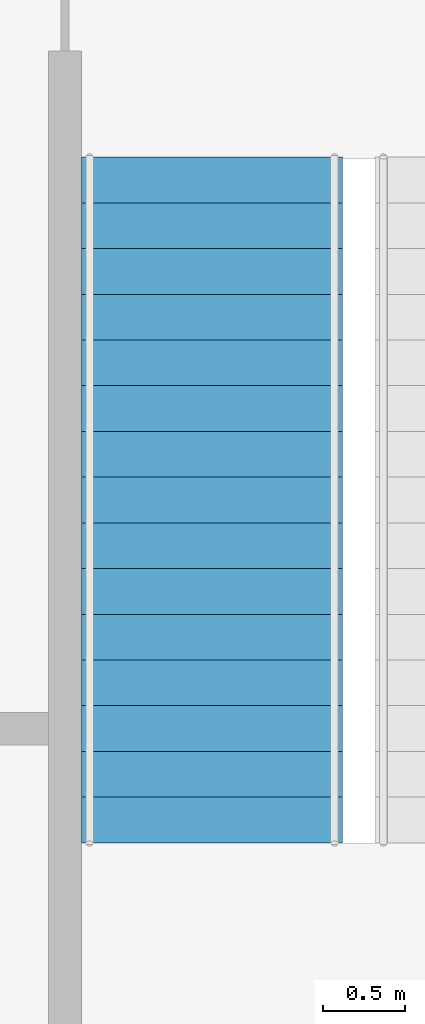
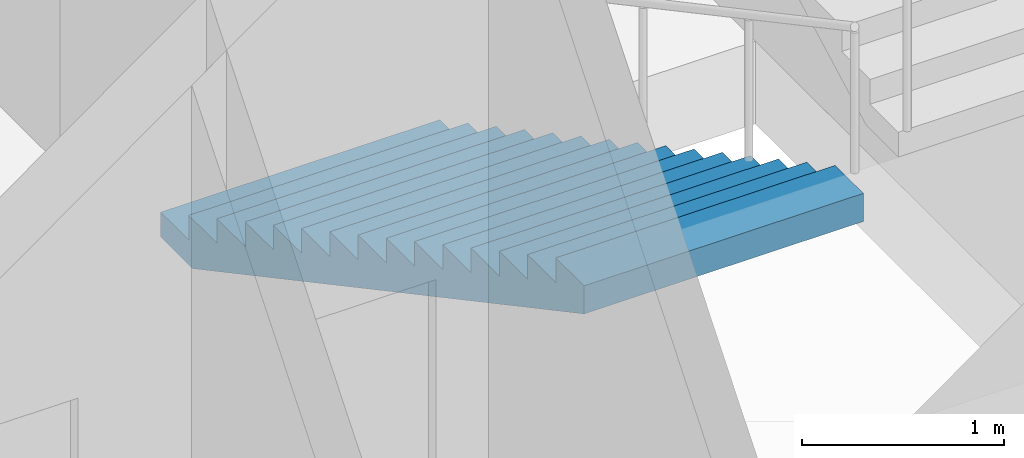
# One storey, part 47 of 53: 1 stair flight, 1 element without a shape of its own.
"""IFC4 building model written with IfcOpenShell, lengths in metres."""

import ifcopenshell
import ifcopenshell.guid

model = None  # the IFC model being written
_history = None  # IfcOwnerHistory: only IFC2X3 demands one
_inside = {}  # id of a spatial element -> (the spatial element, [elements in it])
_under = {}  # id of a project, library or spatial element -> (it, [spatial elements below it])
_declared = {}  # id of a project -> (the project, [libraries it declares])
_typed = {}  # id of a type object -> (the type object, [elements of that type])
_made_of = {}  # id of a material, layer set ... -> (it, [elements and type objects made of it])


def new_model(schema):
    """Start an empty IFC model of exactly this schema.

    Asked for "IFC4X3", IfcOpenShell would pick the latest addendum, in which some entities
    have other attributes; the version numbers below select the first issue.
    IFC2X3 requires an IfcOwnerHistory on every rooted entity: one is made here for all.
    """
    global model, _history
    if schema == "IFC4X3":
        model = ifcopenshell.file(schema_version=(4, 3, 0, 0))
    else:
        model = ifcopenshell.file(schema=schema)
    _inside.clear()
    _under.clear()
    _declared.clear()
    _typed.clear()
    _made_of.clear()
    _history = None
    if model.schema == "IFC2X3":
        org = make("IfcOrganization", Name="unknown")
        user = make(
            "IfcPersonAndOrganization",
            ThePerson=make("IfcPerson", FamilyName="unknown"),
            TheOrganization=org,
        )
        app = make(
            "IfcApplication",
            ApplicationDeveloper=org,
            Version="unknown",
            ApplicationFullName="unknown",
            ApplicationIdentifier="unknown",
        )
        _history = make(
            "IfcOwnerHistory",
            OwningUser=user,
            OwningApplication=app,
            ChangeAction="ADDED",
            CreationDate=0,
        )
    return model


def make(cls, **values):
    """One entity of the class cls with the attributes given. An attribute that is None is left unset."""
    return model.create_entity(
        cls, **{name: value for name, value in values.items() if value is not None}
    )


def rooted(cls, **values):
    """An entity with a GlobalId (a new one), such as an element, a storey or a relation."""
    return make(cls, GlobalId=ifcopenshell.guid.new(), OwnerHistory=_history, **values)


def si_unit(unit_type, name, prefix=None):
    """IfcSIUnit, for example si_unit("LENGTHUNIT", "METRE", prefix="MILLI")."""
    return make("IfcSIUnit", UnitType=unit_type, Prefix=prefix, Name=name)


def assignment(units):
    """IfcUnitAssignment: the units of a project."""
    return None if units is None else make("IfcUnitAssignment", Units=units)


def point(xyz):
    """IfcCartesianPoint."""
    return None if xyz is None else make("IfcCartesianPoint", Coordinates=xyz)


def direction(xyz):
    """IfcDirection."""
    return None if xyz is None else make("IfcDirection", DirectionRatios=xyz)


def frame(location, z_axis=None, x_axis=None):
    """IfcAxis2Placement3D, a coordinate frame: its origin and axes. An axis left out is left unset."""
    return make(
        "IfcAxis2Placement3D",
        Location=point(location),
        Axis=direction(z_axis),
        RefDirection=direction(x_axis),
    )


def origin():
    """The frame at (0, 0, 0) with its axes left unset."""
    return frame((0.0, 0.0, 0.0))


def place(relative_to, where):
    """IfcLocalPlacement: puts the frame where relative to a parent placement (None: the world)."""
    return make(
        "IfcLocalPlacement", PlacementRelTo=relative_to, RelativePlacement=where
    )


def context(
    kind, dimensions, precision=None, world=None, true_north=None, identifier=None
):
    """IfcGeometricRepresentationContext, for example the 3D "Model" context."""
    return make(
        "IfcGeometricRepresentationContext",
        ContextIdentifier=identifier,
        ContextType=kind,
        CoordinateSpaceDimension=dimensions,
        Precision=precision,
        WorldCoordinateSystem=world,
        TrueNorth=true_north,
    )


def subcontext(parent, identifier, kind, view, scale=None):
    """IfcGeometricRepresentationSubContext, for example "Body" below "Model"."""
    return make(
        "IfcGeometricRepresentationSubContext",
        ContextIdentifier=identifier,
        ContextType=kind,
        ParentContext=parent,
        TargetScale=scale,
        TargetView=view,
    )


def project(units=None, contexts=None):
    """IfcProject with its units and contexts."""
    return rooted(
        "IfcProject",
        Name="project",
        RepresentationContexts=contexts,
        UnitsInContext=assignment(units),
    )


def spatial(cls, under=None, at=None, **own):
    """A site, building, storey or space (cls), placed at a placement, below another one or the project."""
    s = rooted(cls, ObjectPlacement=at, **own)
    if under is not None:
        _under.setdefault(under.id(), (under, []))[1].append(s)
    return s


def point_list(points):
    """IfcCartesianPointList2D or 3D."""
    cls = (
        "IfcCartesianPointList2D" if len(points[0]) == 2 else "IfcCartesianPointList3D"
    )
    return make(cls, CoordList=points)


def triangles(points, corners, closed=None, point_numbers=None):
    """IfcTriangulatedFaceSet: each triangle names its three corners, points numbered from 1."""
    return make(
        "IfcTriangulatedFaceSet",
        Coordinates=point_list(points),
        Closed=closed,
        CoordIndex=corners,
        PnIndex=point_numbers,
    )


def shape(context_of_items, identifier, shape_type, items):
    """IfcShapeRepresentation: the items that make up one representation, for example the "Body"."""
    return make(
        "IfcShapeRepresentation",
        ContextOfItems=context_of_items,
        RepresentationIdentifier=identifier,
        RepresentationType=shape_type,
        Items=items,
    )


def material(Name=None, Category=None):
    """IfcMaterial."""
    return make("IfcMaterial", Name=Name, Category=Category)


def made_of(thing, what):
    """Note that an element or type object is made of a material, layer set ...; save() writes the relation."""
    if what is not None:
        _made_of.setdefault(what.id(), (what, []))[1].append(thing)
    return thing


def type_object(cls, material=None, **own):
    """A type object (cls), such as IfcWallType, which elements share."""
    return made_of(rooted(cls, **own), material)


def element(
    cls,
    number,
    at=None,
    inside=None,
    cuts=None,
    type_object=None,
    material=None,
    context=None,
    identifier="Body",
    shape_type=None,
    held_by="IfcProductDefinitionShape",
    body=None,
    shapes=None,
    **own,
):
    """One element of the class cls, such as IfcWall. Its Tag is "e" and its number.

    at: its placement. inside: the storey or other place that contains it. cuts: it is an
    opening in that element (IfcRelVoidsElement). A single representation is given by context,
    identifier, shape_type and body (its items); several are given by shapes. held_by: the class
    of the entity that holds the representations. save() writes the other relations.
    """
    e = rooted(cls, Tag="e%d" % number, ObjectPlacement=at, **own)
    if body is not None:
        shapes = [shape(context, identifier, shape_type, body)]
    if shapes is not None:
        e.Representation = make(held_by, Representations=shapes)
    if inside is not None:
        _inside.setdefault(inside.id(), (inside, []))[1].append(e)
    if cuts is not None:
        rooted(
            "IfcRelVoidsElement", RelatingBuildingElement=cuts, RelatedOpeningElement=e
        )
    if type_object is not None:
        _typed.setdefault(type_object.id(), (type_object, []))[1].append(e)
    return made_of(e, material)


def aggregate(whole, parts):
    """IfcRelAggregates: a whole, such as a stair, and the parts it consists of."""
    return rooted("IfcRelAggregates", RelatingObject=whole, RelatedObjects=parts)


def save(model, path):
    """Write the relations noted so far, then the file.

    IfcRelAggregates (storeys below a building ...), IfcRelContainedInSpatialStructure (elements
    in a storey), IfcRelDefinesByType, IfcRelAssociatesMaterial and IfcRelDeclares: one each for
    every whole, place, type object, material and project.
    """
    for whole, parts in _under.values():
        aggregate(whole, parts)
    for where, things in _inside.values():
        rooted(
            "IfcRelContainedInSpatialStructure",
            RelatedElements=things,
            RelatingStructure=where,
        )
    for kind, things in _typed.values():
        rooted("IfcRelDefinesByType", RelatedObjects=things, RelatingType=kind)
    for what, things in _made_of.values():
        rooted("IfcRelAssociatesMaterial", RelatedObjects=things, RelatingMaterial=what)
    for by, libraries in _declared.values():
        rooted("IfcRelDeclares", RelatingContext=by, RelatedDefinitions=libraries)
    model.write(path)


model = new_model("IFC4")

# Units and contexts
model_context = context("Model", 3, precision=1e-05, world=origin(), true_north=direction((0.0, 1.0)))
body_context = subcontext(model_context, "Body", "Model", "MODEL_VIEW")
ifc_project = project(units=[si_unit("LENGTHUNIT", "METRE"), si_unit("AREAUNIT", "SQUARE_METRE"), si_unit("VOLUMEUNIT", "CUBIC_METRE"), si_unit("PLANEANGLEUNIT", "RADIAN"), si_unit("MASSUNIT", "GRAM", prefix="KILO")], contexts=[model_context])

# Site, building, storey
site_placement = place(None, origin())
site = spatial("IfcSite", under=ifc_project, at=site_placement, CompositionType="ELEMENT")
building_placement = place(site_placement, origin())
building = spatial("IfcBuilding", under=site, at=building_placement, Name="Hakoniwa Tower and Hamabe Station Hall", CompositionType="ELEMENT")
storey_placement = place(building_placement, frame((0.0, 0.0, 15.0)))
storey = spatial("IfcBuildingStorey", under=building, at=storey_placement, Name="L03", CompositionType="ELEMENT", Elevation=15.0)

# Stair, stair flight
ifc_material_1 = material(Name="Concrete C40", Category="concrete")
stair_type = type_object("IfcStairType", Name="STAIR 1600 16X150", PredefinedType="HALF_TURN_STAIR", material=ifc_material_1)
stair_placement = place(storey_placement, origin())
stair = element("IfcStair", 1, at=stair_placement, inside=storey, type_object=stair_type, Name="Escape stair SS4 L03", PredefinedType="HALF_TURN_STAIR")
ifc_material_2 = material(Name="Concrete C40", Category="concrete")
stair_flight_type = type_object("IfcStairFlightType", Name="STAIR FLIGHT 1600", PredefinedType="STRAIGHT", material=ifc_material_2)
stair_flight_placement = place(storey_placement, frame((165.85009765625, -16.89990234375, 0.0), z_axis=(0.0, 0.0, 1.0), x_axis=(0.0, -1.0, 0.0)))
stair_flight = element("IfcStairFlight", 2, at=stair_flight_placement, type_object=stair_flight_type, Name="SS4 flight 1", NumberOfRisers=16, NumberOfTreads=15, PredefinedType="STRAIGHT", RiserHeight=0.15, TreadLength=0.28, context=body_context, shape_type="Tessellation", body=[
    triangles([(0.0, 0.800048828125, 0.0), (0.280029296875, 0.800048828125, 0.0), (0.3173828125, 0.800048828125, 0.0), (0.56005859375, 0.800048828125, 0.1298828125), (0.840087890625, 0.800048828125, 0.280029296875), (1.1201171875, 0.800048828125, 0.429931640625), (1.39990234375, 0.800048828125, 0.579833984375), (1.679931640625, 0.800048828125, 0.72998046875), (1.9599609375, 0.800048828125, 0.8798828125), (2.239990234375, 0.800048828125, 1.030029296875), (2.52001953125, 0.800048828125, 1.179931640625), (2.800048828125, 0.800048828125, 1.329833984375), (3.080078125, 0.800048828125, 1.47998046875), (3.360107421875, 0.800048828125, 1.6298828125), (3.639892578125, 0.800048828125, 1.780029296875), (3.919921875, 0.800048828125, 1.929931640625), (4.199951171875, 0.800048828125, 2.079833984375), (4.199951171875, 0.800048828125, 2.25), (3.919921875, 0.800048828125, 2.25), (3.919921875, 0.800048828125, 2.10009765625), (3.639892578125, 0.800048828125, 2.10009765625), (3.639892578125, 0.800048828125, 1.949951171875), (3.360107421875, 0.800048828125, 1.949951171875), (3.360107421875, 0.800048828125, 1.800048828125), (3.080078125, 0.800048828125, 1.800048828125), (3.080078125, 0.800048828125, 1.64990234375), (2.800048828125, 0.800048828125, 1.64990234375), (2.800048828125, 0.800048828125, 1.5), (2.52001953125, 0.800048828125, 1.5), (2.52001953125, 0.800048828125, 1.35009765625), (2.239990234375, 0.800048828125, 1.35009765625), (2.239990234375, 0.800048828125, 1.199951171875), (1.9599609375, 0.800048828125, 1.199951171875), (1.9599609375, 0.800048828125, 1.050048828125), (1.679931640625, 0.800048828125, 1.050048828125), (1.679931640625, 0.800048828125, 0.89990234375), (1.39990234375, 0.800048828125, 0.89990234375), (1.39990234375, 0.800048828125, 0.75), (1.1201171875, 0.800048828125, 0.75), (1.1201171875, 0.800048828125, 0.60009765625), (0.840087890625, 0.800048828125, 0.60009765625), (0.840087890625, 0.800048828125, 0.449951171875), (0.56005859375, 0.800048828125, 0.449951171875), (0.56005859375, 0.800048828125, 0.300048828125), (0.3173828125, 0.800048828125, 0.300048828125), (0.280029296875, 0.800048828125, 0.300048828125), (0.280029296875, 0.800048828125, 0.14990234375), (0.0, 0.800048828125, 0.14990234375), (0.0, 0.06005859375, 0.0), (0.280029296875, 0.06005859375, 0.0), (0.3173828125, 0.06005859375, 0.0), (0.56005859375, 0.06005859375, 0.1298828125), (0.840087890625, 0.06005859375, 0.280029296875), (1.1201171875, 0.06005859375, 0.429931640625), (1.39990234375, 0.06005859375, 0.579833984375), (1.679931640625, 0.06005859375, 0.72998046875), (1.9599609375, 0.06005859375, 0.8798828125), (2.239990234375, 0.06005859375, 1.030029296875), (2.52001953125, 0.06005859375, 1.179931640625), (2.800048828125, 0.06005859375, 1.329833984375), (3.080078125, 0.06005859375, 1.47998046875), (3.360107421875, 0.06005859375, 1.6298828125), (3.639892578125, 0.06005859375, 1.780029296875), (3.919921875, 0.06005859375, 1.929931640625), (4.199951171875, 0.06005859375, 2.079833984375), (4.199951171875, 0.06005859375, 2.25), (3.919921875, 0.06005859375, 2.25), (3.919921875, 0.06005859375, 2.10009765625), (3.639892578125, 0.06005859375, 2.10009765625), (3.639892578125, 0.06005859375, 1.949951171875), (3.360107421875, 0.06005859375, 1.949951171875), (3.360107421875, 0.06005859375, 1.800048828125), (3.080078125, 0.06005859375, 1.800048828125), (3.080078125, 0.06005859375, 1.64990234375), (2.800048828125, 0.06005859375, 1.64990234375), (2.800048828125, 0.06005859375, 1.5), (2.52001953125, 0.06005859375, 1.5), (2.52001953125, 0.06005859375, 1.35009765625), (2.239990234375, 0.06005859375, 1.35009765625), (2.239990234375, 0.06005859375, 1.199951171875), (1.9599609375, 0.06005859375, 1.199951171875), (1.9599609375, 0.06005859375, 1.050048828125), (1.679931640625, 0.06005859375, 1.050048828125), (1.679931640625, 0.06005859375, 0.89990234375), (1.39990234375, 0.06005859375, 0.89990234375), (1.39990234375, 0.06005859375, 0.75), (1.1201171875, 0.06005859375, 0.75), (1.1201171875, 0.06005859375, 0.60009765625), (0.840087890625, 0.06005859375, 0.60009765625), (0.840087890625, 0.06005859375, 0.449951171875), (0.56005859375, 0.06005859375, 0.449951171875), (0.56005859375, 0.06005859375, 0.300048828125), (0.3173828125, 0.06005859375, 0.300048828125), (0.280029296875, 0.06005859375, 0.300048828125), (0.280029296875, 0.06005859375, 0.14990234375), (0.0, 0.06005859375, 0.14990234375), (0.0, 0.02001953125, 0.0), (0.280029296875, 0.02001953125, 0.0), (0.3173828125, 0.02001953125, 0.0), (0.56005859375, 0.02001953125, 0.1298828125), (0.840087890625, 0.02001953125, 0.280029296875), (1.1201171875, 0.02001953125, 0.429931640625), (1.39990234375, 0.02001953125, 0.579833984375), (1.679931640625, 0.02001953125, 0.72998046875), (1.9599609375, 0.02001953125, 0.8798828125), (2.239990234375, 0.02001953125, 1.030029296875), (2.52001953125, 0.02001953125, 1.179931640625), (2.800048828125, 0.02001953125, 1.329833984375), (3.080078125, 0.02001953125, 1.47998046875), (3.360107421875, 0.02001953125, 1.6298828125), (3.639892578125, 0.02001953125, 1.780029296875), (3.919921875, 0.02001953125, 1.929931640625), (4.199951171875, 0.02001953125, 2.079833984375), (4.199951171875, 0.02001953125, 2.25), (3.919921875, 0.02001953125, 2.25), (3.919921875, 0.02001953125, 2.10009765625), (3.639892578125, 0.02001953125, 2.10009765625), (3.639892578125, 0.02001953125, 1.949951171875), (3.360107421875, 0.02001953125, 1.949951171875), (3.360107421875, 0.02001953125, 1.800048828125), (3.080078125, 0.02001953125, 1.800048828125), (3.080078125, 0.02001953125, 1.64990234375), (2.800048828125, 0.02001953125, 1.64990234375), (2.800048828125, 0.02001953125, 1.5), (2.52001953125, 0.02001953125, 1.5), (2.52001953125, 0.02001953125, 1.35009765625), (2.239990234375, 0.02001953125, 1.35009765625), (2.239990234375, 0.02001953125, 1.199951171875), (1.9599609375, 0.02001953125, 1.199951171875), (1.9599609375, 0.02001953125, 1.050048828125), (1.679931640625, 0.02001953125, 1.050048828125), (1.679931640625, 0.02001953125, 0.89990234375), (1.39990234375, 0.02001953125, 0.89990234375), (1.39990234375, 0.02001953125, 0.75), (1.1201171875, 0.02001953125, 0.75), (1.1201171875, 0.02001953125, 0.60009765625), (0.840087890625, 0.02001953125, 0.60009765625), (0.840087890625, 0.02001953125, 0.449951171875), (0.56005859375, 0.02001953125, 0.449951171875), (0.56005859375, 0.02001953125, 0.300048828125), (0.3173828125, 0.02001953125, 0.300048828125), (0.280029296875, 0.02001953125, 0.300048828125), (0.280029296875, 0.02001953125, 0.14990234375), (0.0, 0.02001953125, 0.14990234375), (0.0, -0.02001953125, 0.0), (0.280029296875, -0.02001953125, 0.0), (0.3173828125, -0.02001953125, 0.0), (0.56005859375, -0.02001953125, 0.1298828125), (0.840087890625, -0.02001953125, 0.280029296875), (1.1201171875, -0.02001953125, 0.429931640625), (1.39990234375, -0.02001953125, 0.579833984375), (1.679931640625, -0.02001953125, 0.72998046875), (1.9599609375, -0.02001953125, 0.8798828125), (2.239990234375, -0.02001953125, 1.030029296875), (2.52001953125, -0.02001953125, 1.179931640625), (2.800048828125, -0.02001953125, 1.329833984375), (3.080078125, -0.02001953125, 1.47998046875), (3.360107421875, -0.02001953125, 1.6298828125), (3.639892578125, -0.02001953125, 1.780029296875), (3.919921875, -0.02001953125, 1.929931640625), (4.199951171875, -0.02001953125, 2.079833984375), (4.199951171875, -0.02001953125, 2.25), (3.919921875, -0.02001953125, 2.25), (3.919921875, -0.02001953125, 2.10009765625), (3.639892578125, -0.02001953125, 2.10009765625), (3.639892578125, -0.02001953125, 1.949951171875), (3.360107421875, -0.02001953125, 1.949951171875), (3.360107421875, -0.02001953125, 1.800048828125), (3.080078125, -0.02001953125, 1.800048828125), (3.080078125, -0.02001953125, 1.64990234375), (2.800048828125, -0.02001953125, 1.64990234375), (2.800048828125, -0.02001953125, 1.5), (2.52001953125, -0.02001953125, 1.5), (2.52001953125, -0.02001953125, 1.35009765625), (2.239990234375, -0.02001953125, 1.35009765625), (2.239990234375, -0.02001953125, 1.199951171875), (1.9599609375, -0.02001953125, 1.199951171875), (1.9599609375, -0.02001953125, 1.050048828125), (1.679931640625, -0.02001953125, 1.050048828125), (1.679931640625, -0.02001953125, 0.89990234375), (1.39990234375, -0.02001953125, 0.89990234375), (1.39990234375, -0.02001953125, 0.75), (1.1201171875, -0.02001953125, 0.75), (1.1201171875, -0.02001953125, 0.60009765625), (0.840087890625, -0.02001953125, 0.60009765625), (0.840087890625, -0.02001953125, 0.449951171875), (0.56005859375, -0.02001953125, 0.449951171875), (0.56005859375, -0.02001953125, 0.300048828125), (0.3173828125, -0.02001953125, 0.300048828125), (0.280029296875, -0.02001953125, 0.300048828125), (0.280029296875, -0.02001953125, 0.14990234375), (0.0, -0.02001953125, 0.14990234375), (0.0, -0.06005859375, 0.0), (0.280029296875, -0.06005859375, 0.0), (0.3173828125, -0.06005859375, 0.0), (0.56005859375, -0.06005859375, 0.1298828125), (0.840087890625, -0.06005859375, 0.280029296875), (1.1201171875, -0.06005859375, 0.429931640625), (1.39990234375, -0.06005859375, 0.579833984375), (1.679931640625, -0.06005859375, 0.72998046875), (1.9599609375, -0.06005859375, 0.8798828125), (2.239990234375, -0.06005859375, 1.030029296875), (2.52001953125, -0.06005859375, 1.179931640625), (2.800048828125, -0.06005859375, 1.329833984375), (3.080078125, -0.06005859375, 1.47998046875), (3.360107421875, -0.06005859375, 1.6298828125), (3.639892578125, -0.06005859375, 1.780029296875), (3.919921875, -0.06005859375, 1.929931640625), (4.199951171875, -0.06005859375, 2.079833984375), (4.199951171875, -0.06005859375, 2.25), (3.919921875, -0.06005859375, 2.25), (3.919921875, -0.06005859375, 2.10009765625), (3.639892578125, -0.06005859375, 2.10009765625), (3.639892578125, -0.06005859375, 1.949951171875), (3.360107421875, -0.06005859375, 1.949951171875), (3.360107421875, -0.06005859375, 1.800048828125), (3.080078125, -0.06005859375, 1.800048828125), (3.080078125, -0.06005859375, 1.64990234375), (2.800048828125, -0.06005859375, 1.64990234375), (2.800048828125, -0.06005859375, 1.5), (2.52001953125, -0.06005859375, 1.5), (2.52001953125, -0.06005859375, 1.35009765625), (2.239990234375, -0.06005859375, 1.35009765625), (2.239990234375, -0.06005859375, 1.199951171875), (1.9599609375, -0.06005859375, 1.199951171875), (1.9599609375, -0.06005859375, 1.050048828125), (1.679931640625, -0.06005859375, 1.050048828125), (1.679931640625, -0.06005859375, 0.89990234375), (1.39990234375, -0.06005859375, 0.89990234375), (1.39990234375, -0.06005859375, 0.75), (1.1201171875, -0.06005859375, 0.75), (1.1201171875, -0.06005859375, 0.60009765625), (0.840087890625, -0.06005859375, 0.60009765625), (0.840087890625, -0.06005859375, 0.449951171875), (0.56005859375, -0.06005859375, 0.449951171875), (0.56005859375, -0.06005859375, 0.300048828125), (0.3173828125, -0.06005859375, 0.300048828125), (0.280029296875, -0.06005859375, 0.300048828125), (0.280029296875, -0.06005859375, 0.14990234375), (0.0, -0.06005859375, 0.14990234375), (0.0, -0.800048828125, 0.0), (0.280029296875, -0.800048828125, 0.0), (0.3173828125, -0.800048828125, 0.0), (0.56005859375, -0.800048828125, 0.1298828125), (0.840087890625, -0.800048828125, 0.280029296875), (1.1201171875, -0.800048828125, 0.429931640625), (1.39990234375, -0.800048828125, 0.579833984375), (1.679931640625, -0.800048828125, 0.72998046875), (1.9599609375, -0.800048828125, 0.8798828125), (2.239990234375, -0.800048828125, 1.030029296875), (2.52001953125, -0.800048828125, 1.179931640625), (2.800048828125, -0.800048828125, 1.329833984375), (3.080078125, -0.800048828125, 1.47998046875), (3.360107421875, -0.800048828125, 1.6298828125), (3.639892578125, -0.800048828125, 1.780029296875), (3.919921875, -0.800048828125, 1.929931640625), (4.199951171875, -0.800048828125, 2.079833984375), (4.199951171875, -0.800048828125, 2.25), (3.919921875, -0.800048828125, 2.25), (3.919921875, -0.800048828125, 2.10009765625), (3.639892578125, -0.800048828125, 2.10009765625), (3.639892578125, -0.800048828125, 1.949951171875), (3.360107421875, -0.800048828125, 1.949951171875), (3.360107421875, -0.800048828125, 1.800048828125), (3.080078125, -0.800048828125, 1.800048828125), (3.080078125, -0.800048828125, 1.64990234375), (2.800048828125, -0.800048828125, 1.64990234375), (2.800048828125, -0.800048828125, 1.5), (2.52001953125, -0.800048828125, 1.5), (2.52001953125, -0.800048828125, 1.35009765625), (2.239990234375, -0.800048828125, 1.35009765625), (2.239990234375, -0.800048828125, 1.199951171875), (1.9599609375, -0.800048828125, 1.199951171875), (1.9599609375, -0.800048828125, 1.050048828125), (1.679931640625, -0.800048828125, 1.050048828125), (1.679931640625, -0.800048828125, 0.89990234375), (1.39990234375, -0.800048828125, 0.89990234375), (1.39990234375, -0.800048828125, 0.75), (1.1201171875, -0.800048828125, 0.75), (1.1201171875, -0.800048828125, 0.60009765625), (0.840087890625, -0.800048828125, 0.60009765625), (0.840087890625, -0.800048828125, 0.449951171875), (0.56005859375, -0.800048828125, 0.449951171875), (0.56005859375, -0.800048828125, 0.300048828125), (0.3173828125, -0.800048828125, 0.300048828125), (0.280029296875, -0.800048828125, 0.300048828125), (0.280029296875, -0.800048828125, 0.14990234375), (0.0, -0.800048828125, 0.14990234375)], [[2, 48, 47], [242, 287, 288], [2, 1, 48], [242, 288, 241], [3, 46, 45], [243, 285, 286], [3, 47, 46], [243, 286, 287], [3, 2, 47], [243, 287, 242], [4, 45, 44], [244, 284, 285], [4, 3, 45], [244, 285, 243], [5, 43, 42], [245, 282, 283], [5, 44, 43], [245, 283, 284], [5, 4, 44], [245, 284, 244], [6, 41, 40], [246, 280, 281], [6, 42, 41], [246, 281, 282], [6, 5, 42], [246, 282, 245], [7, 39, 38], [247, 278, 279], [7, 40, 39], [247, 279, 280], [7, 6, 40], [247, 280, 246], [8, 37, 36], [248, 276, 277], [8, 38, 37], [248, 277, 278], [8, 7, 38], [248, 278, 247], [9, 35, 34], [249, 274, 275], [9, 36, 35], [249, 275, 276], [9, 8, 36], [249, 276, 248], [10, 33, 32], [250, 272, 273], [10, 34, 33], [250, 273, 274], [10, 9, 34], [250, 274, 249], [11, 31, 30], [251, 270, 271], [11, 32, 31], [251, 271, 272], [11, 10, 32], [251, 272, 250], [12, 29, 28], [252, 268, 269], [12, 30, 29], [252, 269, 270], [12, 11, 30], [252, 270, 251], [13, 27, 26], [253, 266, 267], [13, 28, 27], [253, 267, 268], [13, 12, 28], [253, 268, 252], [14, 25, 24], [254, 264, 265], [14, 26, 25], [254, 265, 266], [14, 13, 26], [254, 266, 253], [15, 23, 22], [255, 262, 263], [15, 24, 23], [255, 263, 264], [15, 14, 24], [255, 264, 254], [16, 21, 20], [256, 260, 261], [16, 22, 21], [256, 261, 262], [16, 15, 22], [256, 262, 255], [17, 19, 18], [257, 258, 259], [17, 20, 19], [257, 259, 260], [17, 16, 20], [257, 260, 256], [1, 2, 50], [1, 50, 49], [49, 50, 98], [49, 98, 97], [97, 98, 146], [97, 146, 145], [145, 146, 194], [145, 194, 193], [193, 194, 242], [193, 242, 241], [2, 3, 51], [2, 51, 50], [50, 51, 99], [50, 99, 98], [98, 99, 147], [98, 147, 146], [146, 147, 195], [146, 195, 194], [194, 195, 243], [194, 243, 242], [3, 4, 52], [3, 52, 51], [51, 52, 100], [51, 100, 99], [99, 100, 148], [99, 148, 147], [147, 148, 196], [147, 196, 195], [195, 196, 244], [195, 244, 243], [4, 5, 53], [4, 53, 52], [52, 53, 101], [52, 101, 100], [100, 101, 149], [100, 149, 148], [148, 149, 197], [148, 197, 196], [196, 197, 245], [196, 245, 244], [5, 6, 54], [5, 54, 53], [53, 54, 102], [53, 102, 101], [101, 102, 150], [101, 150, 149], [149, 150, 198], [149, 198, 197], [197, 198, 246], [197, 246, 245], [6, 7, 55], [6, 55, 54], [54, 55, 103], [54, 103, 102], [102, 103, 151], [102, 151, 150], [150, 151, 199], [150, 199, 198], [198, 199, 247], [198, 247, 246], [7, 8, 56], [7, 56, 55], [55, 56, 104], [55, 104, 103], [103, 104, 152], [103, 152, 151], [151, 152, 200], [151, 200, 199], [199, 200, 248], [199, 248, 247], [8, 9, 57], [8, 57, 56], [56, 57, 105], [56, 105, 104], [104, 105, 153], [104, 153, 152], [152, 153, 201], [152, 201, 200], [200, 201, 249], [200, 249, 248], [9, 10, 58], [9, 58, 57], [57, 58, 106], [57, 106, 105], [105, 106, 154], [105, 154, 153], [153, 154, 202], [153, 202, 201], [201, 202, 250], [201, 250, 249], [10, 11, 59], [10, 59, 58], [58, 59, 107], [58, 107, 106], [106, 107, 155], [106, 155, 154], [154, 155, 203], [154, 203, 202], [202, 203, 251], [202, 251, 250], [11, 12, 60], [11, 60, 59], [59, 60, 108], [59, 108, 107], [107, 108, 156], [107, 156, 155], [155, 156, 204], [155, 204, 203], [203, 204, 252], [203, 252, 251], [12, 13, 61], [12, 61, 60], [60, 61, 109], [60, 109, 108], [108, 109, 157], [108, 157, 156], [156, 157, 205], [156, 205, 204], [204, 205, 253], [204, 253, 252], [13, 14, 62], [13, 62, 61], [61, 62, 110], [61, 110, 109], [109, 110, 158], [109, 158, 157], [157, 158, 206], [157, 206, 205], [205, 206, 254], [205, 254, 253], [14, 15, 63], [14, 63, 62], [62, 63, 111], [62, 111, 110], [110, 111, 159], [110, 159, 158], [158, 159, 207], [158, 207, 206], [206, 207, 255], [206, 255, 254], [15, 16, 64], [15, 64, 63], [63, 64, 112], [63, 112, 111], [111, 112, 160], [111, 160, 159], [159, 160, 208], [159, 208, 207], [207, 208, 256], [207, 256, 255], [16, 17, 65], [16, 65, 64], [64, 65, 113], [64, 113, 112], [112, 113, 161], [112, 161, 160], [160, 161, 209], [160, 209, 208], [208, 209, 257], [208, 257, 256], [17, 18, 66], [17, 66, 65], [65, 66, 114], [65, 114, 113], [113, 114, 162], [113, 162, 161], [161, 162, 210], [161, 210, 209], [209, 210, 258], [209, 258, 257], [18, 19, 67], [18, 67, 66], [66, 67, 115], [66, 115, 114], [114, 115, 163], [114, 163, 162], [162, 163, 211], [162, 211, 210], [210, 211, 259], [210, 259, 258], [19, 20, 68], [19, 68, 67], [67, 68, 116], [67, 116, 115], [115, 116, 164], [115, 164, 163], [163, 164, 212], [163, 212, 211], [211, 212, 260], [211, 260, 259], [20, 21, 69], [20, 69, 68], [68, 69, 117], [68, 117, 116], [116, 117, 165], [116, 165, 164], [164, 165, 213], [164, 213, 212], [212, 213, 261], [212, 261, 260], [21, 22, 70], [21, 70, 69], [69, 70, 118], [69, 118, 117], [117, 118, 166], [117, 166, 165], [165, 166, 214], [165, 214, 213], [213, 214, 262], [213, 262, 261], [22, 23, 71], [22, 71, 70], [70, 71, 119], [70, 119, 118], [118, 119, 167], [118, 167, 166], [166, 167, 215], [166, 215, 214], [214, 215, 263], [214, 263, 262], [23, 24, 72], [23, 72, 71], [71, 72, 120], [71, 120, 119], [119, 120, 168], [119, 168, 167], [167, 168, 216], [167, 216, 215], [215, 216, 264], [215, 264, 263], [24, 25, 73], [24, 73, 72], [72, 73, 121], [72, 121, 120], [120, 121, 169], [120, 169, 168], [168, 169, 217], [168, 217, 216], [216, 217, 265], [216, 265, 264], [25, 26, 74], [25, 74, 73], [73, 74, 122], [73, 122, 121], [121, 122, 170], [121, 170, 169], [169, 170, 218], [169, 218, 217], [217, 218, 266], [217, 266, 265], [26, 27, 75], [26, 75, 74], [74, 75, 123], [74, 123, 122], [122, 123, 171], [122, 171, 170], [170, 171, 219], [170, 219, 218], [218, 219, 267], [218, 267, 266], [27, 28, 76], [27, 76, 75], [75, 76, 124], [75, 124, 123], [123, 124, 172], [123, 172, 171], [171, 172, 220], [171, 220, 219], [219, 220, 268], [219, 268, 267], [28, 29, 77], [28, 77, 76], [76, 77, 125], [76, 125, 124], [124, 125, 173], [124, 173, 172], [172, 173, 221], [172, 221, 220], [220, 221, 269], [220, 269, 268], [29, 30, 78], [29, 78, 77], [77, 78, 126], [77, 126, 125], [125, 126, 174], [125, 174, 173], [173, 174, 222], [173, 222, 221], [221, 222, 270], [221, 270, 269], [30, 31, 79], [30, 79, 78], [78, 79, 127], [78, 127, 126], [126, 127, 175], [126, 175, 174], [174, 175, 223], [174, 223, 222], [222, 223, 271], [222, 271, 270], [31, 32, 80], [31, 80, 79], [79, 80, 128], [79, 128, 127], [127, 128, 176], [127, 176, 175], [175, 176, 224], [175, 224, 223], [223, 224, 272], [223, 272, 271], [32, 33, 81], [32, 81, 80], [80, 81, 129], [80, 129, 128], [128, 129, 177], [128, 177, 176], [176, 177, 225], [176, 225, 224], [224, 225, 273], [224, 273, 272], [33, 34, 82], [33, 82, 81], [81, 82, 130], [81, 130, 129], [129, 130, 178], [129, 178, 177], [177, 178, 226], [177, 226, 225], [225, 226, 274], [225, 274, 273], [34, 35, 83], [34, 83, 82], [82, 83, 131], [82, 131, 130], [130, 131, 179], [130, 179, 178], [178, 179, 227], [178, 227, 226], [226, 227, 275], [226, 275, 274], [35, 36, 84], [35, 84, 83], [83, 84, 132], [83, 132, 131], [131, 132, 180], [131, 180, 179], [179, 180, 228], [179, 228, 227], [227, 228, 276], [227, 276, 275], [36, 37, 85], [36, 85, 84], [84, 85, 133], [84, 133, 132], [132, 133, 181], [132, 181, 180], [180, 181, 229], [180, 229, 228], [228, 229, 277], [228, 277, 276], [37, 38, 86], [37, 86, 85], [85, 86, 134], [85, 134, 133], [133, 134, 182], [133, 182, 181], [181, 182, 230], [181, 230, 229], [229, 230, 278], [229, 278, 277], [38, 39, 87], [38, 87, 86], [86, 87, 135], [86, 135, 134], [134, 135, 183], [134, 183, 182], [182, 183, 231], [182, 231, 230], [230, 231, 279], [230, 279, 278], [39, 40, 88], [39, 88, 87], [87, 88, 136], [87, 136, 135], [135, 136, 184], [135, 184, 183], [183, 184, 232], [183, 232, 231], [231, 232, 280], [231, 280, 279], [40, 41, 89], [40, 89, 88], [88, 89, 137], [88, 137, 136], [136, 137, 185], [136, 185, 184], [184, 185, 233], [184, 233, 232], [232, 233, 281], [232, 281, 280], [41, 42, 90], [41, 90, 89], [89, 90, 138], [89, 138, 137], [137, 138, 186], [137, 186, 185], [185, 186, 234], [185, 234, 233], [233, 234, 282], [233, 282, 281], [42, 43, 91], [42, 91, 90], [90, 91, 139], [90, 139, 138], [138, 139, 187], [138, 187, 186], [186, 187, 235], [186, 235, 234], [234, 235, 283], [234, 283, 282], [43, 44, 92], [43, 92, 91], [91, 92, 140], [91, 140, 139], [139, 140, 188], [139, 188, 187], [187, 188, 236], [187, 236, 235], [235, 236, 284], [235, 284, 283], [44, 45, 93], [44, 93, 92], [92, 93, 141], [92, 141, 140], [140, 141, 189], [140, 189, 188], [188, 189, 237], [188, 237, 236], [236, 237, 285], [236, 285, 284], [45, 46, 94], [45, 94, 93], [93, 94, 142], [93, 142, 141], [141, 142, 190], [141, 190, 189], [189, 190, 238], [189, 238, 237], [237, 238, 286], [237, 286, 285], [46, 47, 95], [46, 95, 94], [94, 95, 143], [94, 143, 142], [142, 143, 191], [142, 191, 190], [190, 191, 239], [190, 239, 238], [238, 239, 287], [238, 287, 286], [47, 48, 96], [47, 96, 95], [95, 96, 144], [95, 144, 143], [143, 144, 192], [143, 192, 191], [191, 192, 240], [191, 240, 239], [239, 240, 288], [239, 288, 287], [48, 1, 49], [48, 49, 96], [96, 49, 97], [96, 97, 144], [144, 97, 145], [144, 145, 192], [192, 145, 193], [192, 193, 240], [240, 193, 241], [240, 241, 288]], closed=True),
])
aggregate(stair, [stair_flight])

save(model, "model.ifc")
